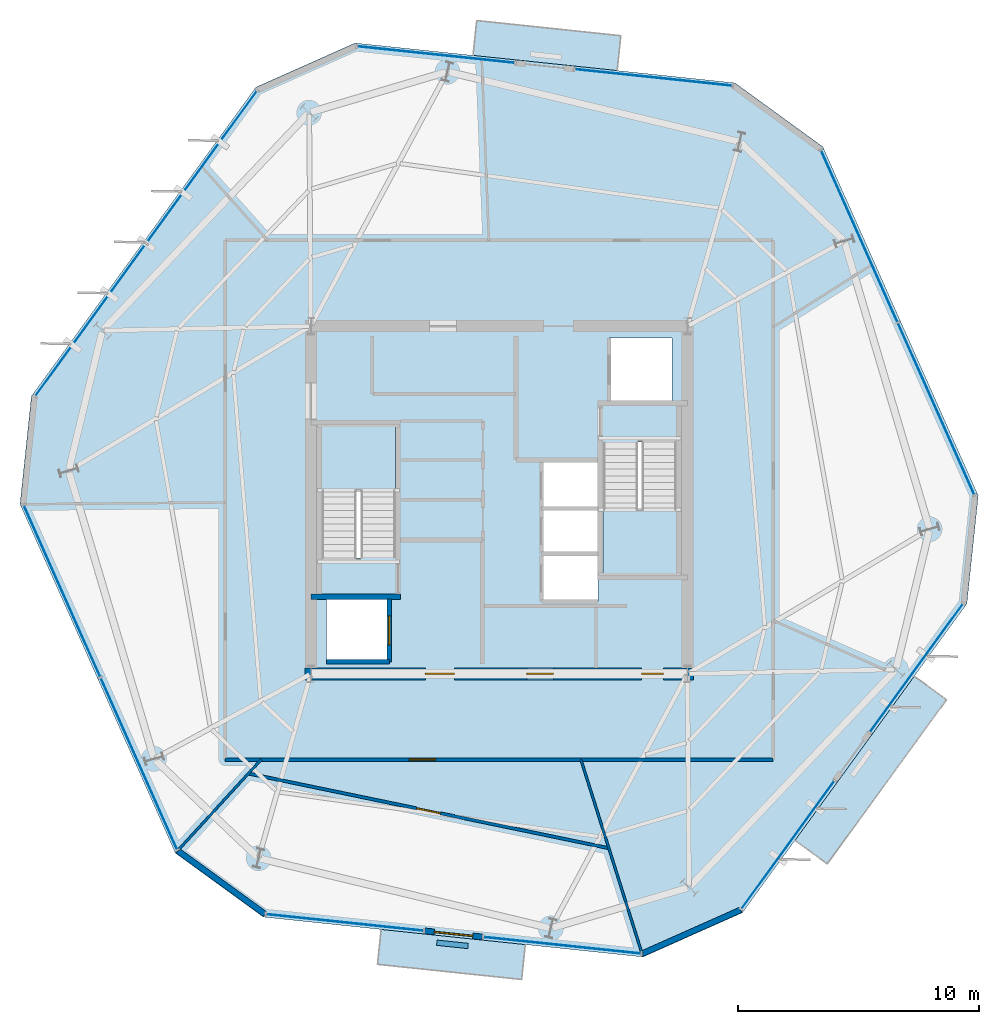
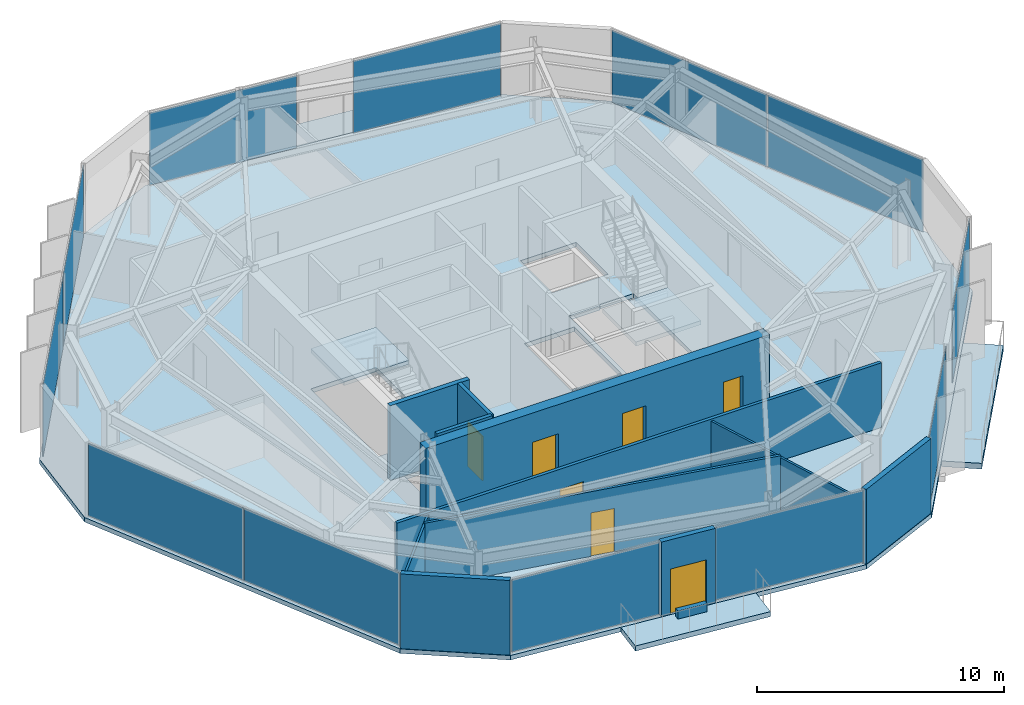
# One storey, part 7 of 12: 12 plates, 12 walls, 7 doors, 6 slabs, 7 openings, 11 elements without a shape of their own.
"""IFC4 building model written with IfcOpenShell, lengths in metres."""

from ifc_helpers import new_model, si_unit, direction, frame, frame_2d, origin, origin_2d, place, context, subcontext, project, spatial, polyline, rectangle, outline, extrude, material, layer, layer_set, type_object, element, fill, aggregate, save


model = new_model("IFC4")

# Units and contexts
model_context = context("Model", 3, precision=1e-05, world=origin(), true_north=direction((0.0, 1.0)))
body_context = subcontext(model_context, "Body", "Model", "MODEL_VIEW")
ifc_project = project(units=[si_unit("LENGTHUNIT", "METRE"), si_unit("AREAUNIT", "SQUARE_METRE"), si_unit("VOLUMEUNIT", "CUBIC_METRE"), si_unit("PLANEANGLEUNIT", "RADIAN"), si_unit("MASSUNIT", "GRAM", prefix="KILO")], contexts=[model_context])

# Site, building, storey
site_placement = place(None, origin())
site = spatial("IfcSite", under=ifc_project, at=site_placement, CompositionType="ELEMENT")
building_placement = place(site_placement, origin())
building = spatial("IfcBuilding", under=site, at=building_placement, Name="Kranzbogen Civic Tower", CompositionType="ELEMENT")
storey_placement = place(building_placement, frame((0.0, 0.0, 240.800048828125)))
storey = spatial("IfcBuildingStorey", under=building, at=storey_placement, Name="L58", CompositionType="ELEMENT", Elevation=240.800048828125)

# Slab
ifc_material_1 = material(Name="Concrete C40/50", Category="concrete")
ifc_layer_1 = layer(ifc_material_1, 0.219970703125, Name="Concrete C40/50")
ifc_layer_set_1 = layer_set([ifc_layer_1], Name="Concrete C40/50")
slab_type_1 = type_object("IfcSlabType", Name="Composite Upper Tower Floor Slab 220 mm", PredefinedType="FLOOR", material=ifc_layer_set_1)
slab_1_placement = place(storey_placement, frame((0.0, 0.0, -0.219970703125)))
element("IfcSlab", 1, at=slab_1_placement, inside=storey, type_object=slab_type_1, Name="L58 tower floor slab", PredefinedType="FLOOR", context=body_context, shape_type="SweptSolid", body=[
    extrude(outline(polyline([(34.76904296875, 42.27392578125), (19.035888671875, 43.927001953125), (14.925048828125, 42.096923828125), (5.626953125, 29.299072265625), (5.156005859375, 24.822998046875), (11.591064453125, 10.3720703125), (15.23095703125, 7.72607421875), (30.964111328125, 6.072998046875), (35.074951171875, 7.903076171875), (44.373046875, 20.700927734375), (44.843994140625, 25.177001953125), (38.408935546875, 39.6279296875), (34.76904296875, 42.27392578125)]), holes=[polyline([(17.85009765625, 20.89990234375), (20.449951171875, 20.89990234375), (20.449951171875, 18.300048828125), (17.85009765625, 18.300048828125), (17.85009765625, 20.89990234375)]), polyline([(29.10009765625, 22.699951171875), (29.10009765625, 20.800048828125), (26.75, 20.800048828125), (26.75, 22.699951171875), (29.10009765625, 22.699951171875)]), polyline([(29.10009765625, 24.64990234375), (29.10009765625, 22.77490234375), (26.75, 22.77490234375), (26.75, 24.64990234375), (26.75, 24.675048828125), (26.75, 26.550048828125), (29.10009765625, 26.550048828125), (29.10009765625, 24.675048828125), (29.10009765625, 24.64990234375)]), polyline([(29.300048828125, 27.340087890625), (30.75, 27.340087890625), (30.75, 27.39990234375), (32.35009765625, 27.39990234375), (32.35009765625, 21.89990234375), (29.300048828125, 21.89990234375), (29.300048828125, 27.340087890625)]), polyline([(20.699951171875, 22.659912109375), (19.25, 22.659912109375), (19.25, 22.60009765625), (17.64990234375, 22.60009765625), (17.64990234375, 28.10009765625), (20.699951171875, 28.10009765625), (20.699951171875, 22.659912109375)]), polyline([(32.14990234375, 31.699951171875), (32.14990234375, 29.10009765625), (29.550048828125, 29.10009765625), (29.550048828125, 31.699951171875), (32.14990234375, 31.699951171875)])]), origin(), (0.0, 0.0, 1.0), 0.219970703125),
])

# Curtain wall, plate
ifc_material_2 = material(Name="Pale Anodised Aluminium", Category="aluminium")
ifc_layer_2 = layer(ifc_material_2, 0.219970703125, Name="Pale Anodised Aluminium")
ifc_layer_set_2 = layer_set([ifc_layer_2], Name="Pale Anodised Aluminium")
curtain_wall_type = type_object("IfcCurtainWallType", Name="Zone 3 Stick Curtain Wall System CW-04", PredefinedType="USERDEFINED", material=ifc_layer_set_2)
curtain_wall_1_placement = place(storey_placement, origin())
curtain_wall_1 = element("IfcCurtainWall", 2, at=curtain_wall_1_placement, inside=storey, type_object=curtain_wall_type, Name="L58 curtain wall CW-L58-F1-S1", ObjectType="STICK CURTAIN WALL", PredefinedType="USERDEFINED")
ifc_material_3 = material(Name="Low-E Triple Glazing Glass", Category="glass")
ifc_layer_3 = layer(ifc_material_3, 0.030029296875, Name="Low-E Triple Glazing Glass")
ifc_layer_set_3 = layer_set([ifc_layer_3], Name="Low-E Triple Glazing Glass")
plate_type = type_object("IfcPlateType", Name="Insulated Low-E Glazing Panel 30 mm", PredefinedType="CURTAIN_PANEL", material=ifc_layer_set_3)
plate_1_placement = place(storey_placement, frame((31.39111328125, 42.49951171875, 0.059814453125), z_axis=(0.0, 0.0, 1.0), x_axis=(-0.994530949802, 0.104442280164, 0.0)))
plate_1 = element("IfcPlate", 3, at=plate_1_placement, type_object=plate_type, Name="CW-04 panel 1.1", PredefinedType="CURTAIN_PANEL", context=body_context, shape_type="SweptSolid", body=[
    extrude(rectangle(XDim=6.534423828125, YDim=0.028076171875, at=origin_2d()), origin(), (0.0, 0.0, 1.0), 3.580078125),
])
aggregate(curtain_wall_1, [plate_1])

curtain_wall_2_placement = place(storey_placement, origin())
curtain_wall_2 = element("IfcCurtainWall", 4, at=curtain_wall_2_placement, inside=storey, type_object=curtain_wall_type, Name="L58 curtain wall CW-L58-F1-S2", ObjectType="STICK CURTAIN WALL", PredefinedType="USERDEFINED")
plate_2_placement = place(storey_placement, frame((22.386474609375, 43.445556640625, 0.059814453125), z_axis=(0.0, 0.0, 1.0), x_axis=(-0.994529310189, 0.104457891879, 0.0)))
plate_2 = element("IfcPlate", 5, at=plate_2_placement, type_object=plate_type, Name="CW-04 panel 1.1", PredefinedType="CURTAIN_PANEL", context=body_context, shape_type="SweptSolid", body=[
    extrude(rectangle(XDim=6.533447265625, YDim=0.028076171875, at=origin_2d()), origin(), (0.0, 0.0, 1.0), 3.580078125),
])
aggregate(curtain_wall_2, [plate_2])

# Curtain wall, plates
curtain_wall_3_placement = place(storey_placement, origin())
curtain_wall_3 = element("IfcCurtainWall", 6, at=curtain_wall_3_placement, inside=storey, type_object=curtain_wall_type, Name="L58 curtain wall CW-L58-F2", ObjectType="STICK CURTAIN WALL", PredefinedType="USERDEFINED")
plate_3_placement = place(storey_placement, frame((12.67919921875, 38.787109375, 0.059814453125), z_axis=(0.0, 0.0, 1.0), x_axis=(-0.587777922218, -0.809022319935, 0.0)))
plate_3 = element("IfcPlate", 7, at=plate_3_placement, type_object=plate_type, Name="CW-04 panel 1.1", PredefinedType="CURTAIN_PANEL", context=body_context, shape_type="SweptSolid", body=[
    extrude(rectangle(XDim=7.763427734375, YDim=0.028076171875, at=origin_2d()), origin(), (0.0, 0.0, 1.0), 3.580078125),
])
plate_4_placement = place(storey_placement, frame((8.080810546875, 32.457763671875, 0.059814453125), z_axis=(0.0, 0.0, 1.0), x_axis=(-0.587777922218, -0.809022319935, 0.0)))
plate_4 = element("IfcPlate", 8, at=plate_4_placement, type_object=plate_type, Name="CW-04 panel 2.1", PredefinedType="CURTAIN_PANEL", context=body_context, shape_type="SweptSolid", body=[
    extrude(rectangle(XDim=7.763427734375, YDim=0.028076171875, at=origin_2d()), origin(), (0.0, 0.0, 1.0), 3.580078125),
])
aggregate(curtain_wall_3, [plate_3, plate_4])

curtain_wall_4_placement = place(storey_placement, origin())
curtain_wall_4 = element("IfcCurtainWall", 9, at=curtain_wall_4_placement, inside=storey, type_object=curtain_wall_type, Name="L58 curtain wall CW-L58-F3", ObjectType="STICK CURTAIN WALL", PredefinedType="USERDEFINED")
plate_5_placement = place(storey_placement, frame((6.899658203125, 21.22314453125, 0.059814453125), z_axis=(0.0, 0.0, 1.0), x_axis=(0.406811748243, -0.913512014968, 0.0)))
plate_5 = element("IfcPlate", 10, at=plate_5_placement, type_object=plate_type, Name="CW-04 panel 1.1", PredefinedType="CURTAIN_PANEL", context=body_context, shape_type="SweptSolid", body=[
    extrude(rectangle(XDim=7.763671875, YDim=0.028076171875, at=origin_2d()), origin(), (0.0, 0.0, 1.0), 3.580078125),
])
plate_6_placement = place(storey_placement, frame((10.08251953125, 14.075927734375, 0.059814453125), z_axis=(0.0, 0.0, 1.0), x_axis=(0.406811748243, -0.913512014968, 0.0)))
plate_6 = element("IfcPlate", 11, at=plate_6_placement, type_object=plate_type, Name="CW-04 panel 2.1", PredefinedType="CURTAIN_PANEL", context=body_context, shape_type="SweptSolid", body=[
    extrude(rectangle(XDim=7.763671875, YDim=0.028076171875, at=origin_2d()), origin(), (0.0, 0.0, 1.0), 3.580078125),
])
aggregate(curtain_wall_4, [plate_5, plate_6])

# Curtain wall, plate
curtain_wall_5_placement = place(storey_placement, origin())
curtain_wall_5 = element("IfcCurtainWall", 12, at=curtain_wall_5_placement, inside=storey, type_object=curtain_wall_type, Name="L58 curtain wall CW-L58-F4-S1", ObjectType="STICK CURTAIN WALL", PredefinedType="USERDEFINED")
plate_7_placement = place(storey_placement, frame((18.60888671875, 7.50048828125, 0.059814453125), z_axis=(0.0, 0.0, 1.0), x_axis=(0.994530949802, -0.104442280164, 0.0)))
plate_7 = element("IfcPlate", 13, at=plate_7_placement, type_object=plate_type, Name="CW-04 panel 1.1", PredefinedType="CURTAIN_PANEL", context=body_context, shape_type="SweptSolid", body=[
    extrude(rectangle(XDim=6.534423828125, YDim=0.028076171875, at=origin_2d()), origin(), (0.0, 0.0, 1.0), 3.580078125),
])
aggregate(curtain_wall_5, [plate_7])

curtain_wall_6_placement = place(storey_placement, origin())
curtain_wall_6 = element("IfcCurtainWall", 14, at=curtain_wall_6_placement, inside=storey, type_object=curtain_wall_type, Name="L58 curtain wall CW-L58-F4-S2", ObjectType="STICK CURTAIN WALL", PredefinedType="USERDEFINED")
plate_8_placement = place(storey_placement, frame((27.613525390625, 6.554443359375, 0.059814453125), z_axis=(0.0, 0.0, 1.0), x_axis=(0.994529310189, -0.104457891879, 0.0)))
plate_8 = element("IfcPlate", 15, at=plate_8_placement, type_object=plate_type, Name="CW-04 panel 1.1", PredefinedType="CURTAIN_PANEL", context=body_context, shape_type="SweptSolid", body=[
    extrude(rectangle(XDim=6.533447265625, YDim=0.028076171875, at=origin_2d()), origin(), (0.0, 0.0, 1.0), 3.580078125),
])
aggregate(curtain_wall_6, [plate_8])

curtain_wall_7_placement = place(storey_placement, origin())
curtain_wall_7 = element("IfcCurtainWall", 16, at=curtain_wall_7_placement, inside=storey, type_object=curtain_wall_type, Name="L58 curtain wall CW-L58-F5-S1", ObjectType="STICK CURTAIN WALL", PredefinedType="USERDEFINED")
plate_9_placement = place(storey_placement, frame((36.95947265625, 10.715576171875, 0.059814453125), z_axis=(0.0, 0.0, 1.0), x_axis=(0.587787374231, 0.809015452692, 0.0)))
plate_9 = element("IfcPlate", 17, at=plate_9_placement, type_object=plate_type, Name="CW-04 panel 1.1", PredefinedType="CURTAIN_PANEL", context=body_context, shape_type="SweptSolid", body=[
    extrude(rectangle(XDim=6.53369140625, YDim=0.028076171875, at=origin_2d()), origin(), (0.0, 0.0, 1.0), 3.580078125),
])
aggregate(curtain_wall_7, [plate_9])

curtain_wall_8_placement = place(storey_placement, origin())
curtain_wall_8 = element("IfcCurtainWall", 18, at=curtain_wall_8_placement, inside=storey, type_object=curtain_wall_type, Name="L58 curtain wall CW-L58-F5-S2", ObjectType="STICK CURTAIN WALL", PredefinedType="USERDEFINED")
plate_10_placement = place(storey_placement, frame((42.280517578125, 18.03955078125, 0.059814453125), z_axis=(0.0, 0.0, 1.0), x_axis=(0.587787374231, 0.809015452692, 0.0)))
plate_10 = element("IfcPlate", 19, at=plate_10_placement, type_object=plate_type, Name="CW-04 panel 1.1", PredefinedType="CURTAIN_PANEL", context=body_context, shape_type="SweptSolid", body=[
    extrude(rectangle(XDim=6.53369140625, YDim=0.028076171875, at=origin_2d()), origin(), (0.0, 0.0, 1.0), 3.580078125),
])
aggregate(curtain_wall_8, [plate_10])

# Curtain wall, plates
curtain_wall_9_placement = place(storey_placement, origin())
curtain_wall_9 = element("IfcCurtainWall", 20, at=curtain_wall_9_placement, inside=storey, type_object=curtain_wall_type, Name="L58 curtain wall CW-L58-F6", ObjectType="STICK CURTAIN WALL", PredefinedType="USERDEFINED")
plate_11_placement = place(storey_placement, frame((43.100341796875, 28.77685546875, 0.059814453125), z_axis=(0.0, 0.0, 1.0), x_axis=(-0.406811748243, 0.913512014968, 0.0)))
plate_11 = element("IfcPlate", 21, at=plate_11_placement, type_object=plate_type, Name="CW-04 panel 1.1", PredefinedType="CURTAIN_PANEL", context=body_context, shape_type="SweptSolid", body=[
    extrude(rectangle(XDim=7.763671875, YDim=0.028076171875, at=origin_2d()), origin(), (0.0, 0.0, 1.0), 3.580078125),
])
plate_12_placement = place(storey_placement, frame((39.91748046875, 35.924072265625, 0.059814453125), z_axis=(0.0, 0.0, 1.0), x_axis=(-0.406811748243, 0.913512014968, 0.0)))
plate_12 = element("IfcPlate", 22, at=plate_12_placement, type_object=plate_type, Name="CW-04 panel 2.1", PredefinedType="CURTAIN_PANEL", context=body_context, shape_type="SweptSolid", body=[
    extrude(rectangle(XDim=7.763671875, YDim=0.028076171875, at=origin_2d()), origin(), (0.0, 0.0, 1.0), 3.580078125),
])
aggregate(curtain_wall_9, [plate_11, plate_12])

# Stair, slab
ifc_material_4 = material(Name="Precast concrete C40/50", Category="concrete")
stair_type_1 = type_object("IfcStairType", Name="Tower Core Pressurized Dogleg Stair 1450", PredefinedType="HALF_TURN_STAIR", material=ifc_material_4)
stair_1_placement = place(storey_placement, origin())
stair_1 = element("IfcStair", 23, at=stair_1_placement, inside=storey, type_object=stair_type_1, Name="L58 Tower Core Pressurized Stair 1", PredefinedType="HALF_TURN_STAIR")
ifc_layer_4 = layer(ifc_material_4, 0.199951171875, Name="Precast concrete C40/50")
ifc_layer_set_4 = layer_set([ifc_layer_4], Name="Precast concrete C40/50")
slab_type_2 = type_object("IfcSlabType", Name="Precast Concrete Stair Landing Slab 200 mm", PredefinedType="LANDING", material=ifc_layer_set_4)
slab_2_placement = place(storey_placement, frame((0.0, 0.0, 1.800048828125)))
slab_2 = element("IfcSlab", 24, at=slab_2_placement, type_object=slab_type_2, Name="ST-T1 landing 1", PredefinedType="LANDING", context=body_context, shape_type="SweptSolid", body=[
    extrude(outline(polyline([(20.699951171875, 25.39990234375), (20.699951171875, 28.10009765625), (17.64990234375, 28.10009765625), (17.64990234375, 25.39990234375), (20.699951171875, 25.39990234375)])), origin(), (0.0, 0.0, 1.0), 0.199951171875),
])
aggregate(stair_1, [slab_2])

stair_type_2 = type_object("IfcStairType", Name="Tower Core Secondary Dogleg Stair 1450", PredefinedType="HALF_TURN_STAIR", material=ifc_material_4)
stair_2_placement = place(storey_placement, origin())
stair_2 = element("IfcStair", 25, at=stair_2_placement, inside=storey, type_object=stair_type_2, Name="L58 Tower Core Pressurized Stair 2", PredefinedType="HALF_TURN_STAIR")
slab_3_placement = place(storey_placement, frame((0.0, 0.0, 1.800048828125)))
slab_3 = element("IfcSlab", 26, at=slab_3_placement, type_object=slab_type_2, Name="ST-T2 landing 1", PredefinedType="LANDING", context=body_context, shape_type="SweptSolid", body=[
    extrude(outline(polyline([(29.300048828125, 24.60009765625), (29.300048828125, 21.89990234375), (32.35009765625, 21.89990234375), (32.35009765625, 24.60009765625), (29.300048828125, 24.60009765625)])), origin(), (0.0, 0.0, 1.0), 0.199951171875),
])
aggregate(stair_2, [slab_3])

# Slabs
ifc_layer_5 = layer(ifc_material_1, 0.280029296875, Name="Concrete C40/50")
ifc_layer_set_5 = layer_set([ifc_layer_5], Name="Concrete C40/50")
slab_type_3 = type_object("IfcSlabType", Name="Spiral Terrace Cantilevered Slab 280 mm", PredefinedType="FLOOR", material=ifc_layer_set_5)
slab_4_placement = place(storey_placement, frame((0.0, 0.0, -0.280029296875)))
element("IfcSlab", 27, at=slab_4_placement, inside=storey, type_object=slab_type_3, Name="L58 cantilevered spiral terrace L58-ST", PredefinedType="FLOOR", context=body_context, shape_type="SweptSolid", body=[
    extrude(outline(polyline([(37.2548828125, 10.904052734375), (42.193115234375, 17.699951171875), (43.528076171875, 16.72998046875), (38.590087890625, 9.93408203125), (37.2548828125, 10.904052734375)])), origin(), (0.0, 0.0, 1.0), 0.280029296875),
])
ifc_layer_6 = layer(ifc_material_1, 0.25, Name="Concrete C40/50")
ifc_layer_set_6 = layer_set([ifc_layer_6], Name="Concrete C40/50")
slab_type_4 = type_object("IfcSlabType", Name="Tree Balcony Cantilevered Slab 250 mm", PredefinedType="FLOOR", material=ifc_layer_set_6)
slab_5_placement = place(storey_placement, frame((0.0, 0.0, -0.25)))
element("IfcSlab", 28, at=slab_5_placement, inside=storey, type_object=slab_type_4, Name="L58 cantilevered tree balcony L58-TB1", PredefinedType="FLOOR", context=body_context, shape_type="SweptSolid", body=[
    extrude(outline(polyline([(20.114013671875, 7.212890625), (26.0810546875, 6.5859375), (25.928955078125, 5.14404296875), (19.9619140625, 5.77099609375), (20.114013671875, 7.212890625)])), origin(), (0.0, 0.0, 1.0), 0.25),
])
slab_6_placement = place(storey_placement, frame((0.0, 0.0, -0.25)))
element("IfcSlab", 29, at=slab_6_placement, inside=storey, type_object=slab_type_4, Name="L58 cantilevered tree balcony L58-TB2", PredefinedType="FLOOR", context=body_context, shape_type="SweptSolid", body=[
    extrude(outline(polyline([(29.885986328125, 42.787109375), (23.9189453125, 43.4140625), (24.071044921875, 44.85595703125), (30.0380859375, 44.22900390625), (29.885986328125, 42.787109375)])), origin(), (0.0, 0.0, 1.0), 0.25),
])

# Wall, opening, door
ifc_material_5 = material(Name="Double-Stud Acoustic Gypsum Partition")
ifc_layer_7 = layer(ifc_material_5, 0.14990234375, Name="Double-Stud Acoustic Gypsum Partition")
ifc_layer_set_7 = layer_set([ifc_layer_7], Name="Double-Stud Acoustic Gypsum Partition")
wall_type_1 = type_object("IfcWallType", Name="Acoustic Corridor and Clinical Partition 150 mm", PredefinedType="PARTITIONING", material=ifc_layer_set_7)
wall_1_placement = place(storey_placement, frame((36.35009765625, 14.25, 0.0), z_axis=(0.0, 0.0, 1.0), x_axis=(-1.0, 0.0, 0.0)))
wall_1 = element("IfcWall", 30, at=wall_1_placement, inside=storey, type_object=wall_type_1, Name="L58 corridor partition 03", PredefinedType="PARTITIONING", context=body_context, shape_type="SweptSolid", body=[
    extrude(rectangle(XDim=22.7001953125, YDim=0.14990234375, at=frame_2d((11.35009765625, 0.0))), origin(), (0.0, 0.0, 1.0), 3.199951171875),
])
opening_1_placement = place(wall_1_placement, frame((13.97705078125, 0.0, 0.0)))
opening_1 = element("IfcOpeningElement", 31, at=opening_1_placement, cuts=wall_1, Name="Opening D-COR60", PredefinedType="OPENING", context=body_context, shape_type="SweptSolid", body=[
    extrude(rectangle(XDim=1.10009765625, YDim=2.199951171875, at=frame_2d((0.550048828125, 1.10009765625))), frame((0.0, 0.0849609375, 0.0), z_axis=(0.0, -1.0, 0.0), x_axis=(1.0, 0.0, 0.0)), (0.0, 0.0, 1.0), 0.169921875),
])
ifc_material_6 = material(Name="Oak Timber and Fire Core", Category="wood")
door_type_1 = type_object("IfcDoorType", Name="Corridor Acoustic Fire Door 1100x2200", OperationType="NOTDEFINED", PredefinedType="DOOR", material=ifc_material_6)
door_1_placement = place(opening_1_placement, origin())
door_1 = element("IfcDoor", 32, at=door_1_placement, inside=storey, type_object=door_type_1, Name="L58 Executive Research Study door", OperationType="SINGLE_SWING_RIGHT", OverallHeight=2.199951171875, OverallWidth=1.10009765625, PredefinedType="DOOR", context=body_context, shape_type="SweptSolid", body=[
    extrude(rectangle(XDim=1.10009765625, YDim=2.199951171875, at=frame_2d((0.550048828125, 1.10009765625))), frame((0.0, 0.02490234375, 0.0), z_axis=(0.0, -1.0, 0.0), x_axis=(1.0, 0.0, 0.0)), (0.0, 0.0, 1.0), 0.050048828125),
])
fill(opening_1, door_1)

ifc_material_7 = material(Name="Insulated Metal-Stud Gypsum Partition")
ifc_layer_8 = layer(ifc_material_7, 0.125, Name="Insulated Metal-Stud Gypsum Partition")
ifc_layer_set_8 = layer_set([ifc_layer_8], Name="Insulated Metal-Stud Gypsum Partition")
wall_type_2 = type_object("IfcWallType", Name="Acoustic Inter-Room Partition 125 mm", PredefinedType="PARTITIONING", material=ifc_layer_set_8)
wall_2_placement = place(storey_placement, frame((14.631103515625, 13.6669921875, 0.0), z_axis=(0.0, 0.0, 1.0), x_axis=(0.979233619367, -0.202735094894, 0.0)))
wall_2 = element("IfcWall", 33, at=wall_2_placement, inside=storey, type_object=wall_type_2, Name="L58 suite chord partition 01", PredefinedType="PARTITIONING", context=body_context, shape_type="SweptSolid", body=[
    extrude(rectangle(XDim=15.2119140625, YDim=0.125, at=frame_2d((7.60595703125, 0.0))), origin(), (0.0, 0.0, 1.0), 3.199951171875),
])
opening_2_placement = place(wall_2_placement, frame((7.10595703125, 0.0, 0.0)))
opening_2 = element("IfcOpeningElement", 34, at=opening_2_placement, cuts=wall_2, Name="Opening D-OFC10", PredefinedType="OPENING", context=body_context, shape_type="SweptSolid", body=[
    extrude(rectangle(XDim=1.0, YDim=2.14990234375, at=frame_2d((0.5, 1.074951171875))), frame((0.0, 0.072509765625, 0.0), z_axis=(0.0, -1.0, 0.0), x_axis=(1.0, 0.0, 0.0)), (0.0, 0.0, 1.0), 0.14501953125),
])
ifc_material_8 = material(Name="Oak Timber Veneer", Category="wood")
door_type_2 = type_object("IfcDoorType", Name="Standard Office Acoustic Door 1000x2150", OperationType="NOTDEFINED", PredefinedType="DOOR", material=ifc_material_8)
door_2_placement = place(opening_2_placement, origin())
door_2 = element("IfcDoor", 35, at=door_2_placement, inside=storey, type_object=door_type_2, Name="L58 Protocol Dining Room door", OperationType="SINGLE_SWING_LEFT", OverallHeight=2.14990234375, OverallWidth=1.0, PredefinedType="DOOR", context=body_context, shape_type="SweptSolid", body=[
    extrude(rectangle(XDim=1.0, YDim=2.14990234375, at=frame_2d((0.5, 1.074951171875))), frame((0.0, 0.02490234375, 0.0), z_axis=(0.0, -1.0, 0.0), x_axis=(1.0, 0.0, 0.0)), (0.0, 0.0, 1.0), 0.050048828125),
])
fill(opening_2, door_2)

# Wall
ifc_material_9 = material(Name="Architectural Precast Terracotta Concrete C40/50", Category="masonry")
ifc_layer_9 = layer(ifc_material_9, 0.219970703125, Name="Architectural Precast Terracotta Concrete C40/50")
ifc_layer_set_9 = layer_set([ifc_layer_9], Name="Architectural Precast Terracotta Concrete C40/50")
wall_type_3 = type_object("IfcWallType", Name="Architectural Tree Planter Kerb Wall 220 mm", PredefinedType="USERDEFINED", material=ifc_layer_set_9)
wall_3_placement = place(storey_placement, frame((22.419921875, 6.6650390625, 0.0), z_axis=(0.0, 0.0, 1.0), x_axis=(0.994506482607, -0.104675002043, 0.0)))
element("IfcWall", 36, at=wall_3_placement, inside=storey, type_object=wall_type_3, Name="L58 landscaped tree balcony planter L58-TB1", ObjectType="PLANTER_WALL", PredefinedType="USERDEFINED", context=body_context, shape_type="SweptSolid", body=[
    extrude(rectangle(XDim=1.299072265625, YDim=0.219970703125, at=frame_2d((0.6494140625, 0.0))), origin(), (0.0, 0.0, 1.0), 0.39990234375),
])

# Wall, openings, doors
ifc_material_10 = material(Name="Concrete C45/55", Category="concrete")
ifc_layer_10 = layer(ifc_material_10, 0.5, Name="Concrete C45/55")
ifc_layer_set_10 = layer_set([ifc_layer_10], Name="Concrete C45/55")
wall_type_4 = type_object("IfcWallType", Name="Central Core Shear Wall 500 mm", PredefinedType="SHEAR", material=ifc_layer_set_10)
wall_4_placement = place(storey_placement, frame((16.949951171875, 17.800048828125, 0.0), z_axis=(0.0, 0.0, 1.0), x_axis=(1.0, 0.0, 0.0)))
wall_4 = element("IfcWall", 37, at=wall_4_placement, inside=storey, type_object=wall_type_4, Name="L58 central core South shear wall", PredefinedType="SHEAR", context=body_context, shape_type="SweptSolid", body=[
    extrude(rectangle(XDim=16.10009765625, YDim=0.5, at=frame_2d((8.050048828125, 0.0))), origin(), (0.0, 0.0, 1.0), 3.699951171875),
])
opening_3_placement = place(wall_4_placement, frame((5.0, 0.0, 0.0)))
opening_3 = element("IfcOpeningElement", 38, at=opening_3_placement, cuts=wall_4, Name="Opening D-EX120", PredefinedType="OPENING", context=body_context, shape_type="SweptSolid", body=[
    extrude(rectangle(XDim=1.199951171875, YDim=2.25, at=frame_2d((0.60009765625, 1.125))), frame((0.0, 0.260009765625, 0.0), z_axis=(0.0, -1.0, 0.0), x_axis=(1.0, 0.0, 0.0)), (0.0, 0.0, 1.0), 0.52001953125),
])
opening_4_placement = place(wall_4_placement, frame((13.949951171875, 0.0, 0.0)))
opening_4 = element("IfcOpeningElement", 39, at=opening_4_placement, cuts=wall_4, Name="Opening D-WC90", PredefinedType="OPENING", context=body_context, shape_type="SweptSolid", body=[
    extrude(rectangle(XDim=0.89990234375, YDim=2.10009765625, at=frame_2d((0.449951171875, 1.050048828125))), frame((0.0, 0.260009765625, 0.0), z_axis=(0.0, -1.0, 0.0), x_axis=(1.0, 0.0, 0.0)), (0.0, 0.0, 1.0), 0.52001953125),
])
opening_5_placement = place(wall_4_placement, frame((9.199951171875, 0.0, 0.0)))
opening_5 = element("IfcOpeningElement", 40, at=opening_5_placement, cuts=wall_4, Name="Opening D-COR60", PredefinedType="OPENING", context=body_context, shape_type="SweptSolid", body=[
    extrude(rectangle(XDim=1.10009765625, YDim=2.199951171875, at=frame_2d((0.550048828125, 1.10009765625))), frame((0.0, 0.260009765625, 0.0), z_axis=(0.0, -1.0, 0.0), x_axis=(1.0, 0.0, 0.0)), (0.0, 0.0, 1.0), 0.52001953125),
])
door_3_placement = place(opening_5_placement, origin())
door_3 = element("IfcDoor", 41, at=door_3_placement, inside=storey, type_object=door_type_1, Name="L58 REC1 archive room door", OperationType="SINGLE_SWING_LEFT", OverallHeight=2.199951171875, OverallWidth=1.10009765625, PredefinedType="DOOR", context=body_context, shape_type="SweptSolid", body=[
    extrude(rectangle(XDim=1.10009765625, YDim=2.199951171875, at=frame_2d((0.550048828125, 1.10009765625))), frame((0.0, 0.02490234375, 0.0), z_axis=(0.0, -1.0, 0.0), x_axis=(1.0, 0.0, 0.0)), (0.0, 0.0, 1.0), 0.050048828125),
])
fill(opening_5, door_3)
ifc_material_11 = material(Name="Steel S355", Category="steel")
door_type_3 = type_object("IfcDoorType", Name="Exit Passageway Fire Door 1200x2250", OperationType="NOTDEFINED", PredefinedType="DOOR", material=ifc_material_11)
door_4_placement = place(opening_3_placement, origin())
door_4 = element("IfcDoor", 42, at=door_4_placement, inside=storey, type_object=door_type_3, Name="L58 West firefighting lobby corridor door", OperationType="SINGLE_SWING_LEFT", OverallHeight=2.25, OverallWidth=1.199951171875, PredefinedType="DOOR", context=body_context, shape_type="SweptSolid", body=[
    extrude(rectangle(XDim=1.199951171875, YDim=2.25, at=frame_2d((0.60009765625, 1.125))), frame((0.0, 0.02490234375, 0.0), z_axis=(0.0, -1.0, 0.0), x_axis=(1.0, 0.0, 0.0)), (0.0, 0.0, 1.0), 0.050048828125),
])
fill(opening_3, door_4)
ifc_material_12 = material(Name="Moisture-Resistant Laminate")
door_type_4 = type_object("IfcDoorType", Name="Standard Restroom and Store Door 900x2100", OperationType="NOTDEFINED", PredefinedType="DOOR", material=ifc_material_12)
door_5_placement = place(opening_4_placement, origin())
door_5 = element("IfcDoor", 43, at=door_5_placement, inside=storey, type_object=door_type_4, Name="L58 East electrical riser access door", OperationType="SINGLE_SWING_RIGHT", OverallHeight=2.10009765625, OverallWidth=0.89990234375, PredefinedType="DOOR", context=body_context, shape_type="SweptSolid", body=[
    extrude(rectangle(XDim=0.89990234375, YDim=2.10009765625, at=frame_2d((0.449951171875, 1.050048828125))), frame((0.0, 0.02490234375, 0.0), z_axis=(0.0, -1.0, 0.0), x_axis=(1.0, 0.0, 0.0)), (0.0, 0.0, 1.0), 0.050048828125),
])
fill(opening_4, door_5)

# Walls
ifc_layer_11 = layer(ifc_material_10, 0.219970703125, Name="Concrete C45/55")
ifc_layer_set_11 = layer_set([ifc_layer_11], Name="Concrete C45/55")
wall_type_5 = type_object("IfcWallType", Name="Core Internal Stair Structural Wall 220 mm", PredefinedType="SOLIDWALL", material=ifc_layer_set_11)
wall_5_placement = place(storey_placement, frame((17.199951171875, 20.989990234375, 0.0), z_axis=(0.0, 0.0, 1.0), x_axis=(1.0, 0.0, 0.0)))
element("IfcWall", 44, at=wall_5_placement, inside=storey, type_object=wall_type_5, Name="L58 ST-T1 South structural stair wall", PredefinedType="SOLIDWALL", context=body_context, shape_type="SweptSolid", body=[
    extrude(rectangle(XDim=3.719970703125, YDim=0.219970703125, at=frame_2d((1.85986328125, 0.0))), origin(), (0.0, 0.0, 1.0), 3.699951171875),
])
ifc_material_13 = material(Name="Demountable Aluminium and Gypsum Partition", Category="aluminium")
ifc_layer_12 = layer(ifc_material_13, 0.10009765625, Name="Demountable Aluminium and Gypsum Partition")
ifc_layer_set_12 = layer_set([ifc_layer_12], Name="Demountable Aluminium and Gypsum Partition")
wall_type_6 = type_object("IfcWallType", Name="Demountable Office Partition 100 mm", PredefinedType="MOVABLE", material=ifc_layer_set_12)
wall_6_placement = place(storey_placement, frame((15.14599609375, 14.25, 0.0), z_axis=(0.0, 0.0, 1.0), x_axis=(-0.675770128833, -0.737112428994, 0.0)))
element("IfcWall", 45, at=wall_6_placement, inside=storey, type_object=wall_type_6, Name="L58 radial room partition 04", PredefinedType="MOVABLE", context=body_context, shape_type="SweptSolid", body=[
    extrude(rectangle(XDim=5.102294921875, YDim=0.10009765625, at=frame_2d((2.55126953125, 0.0))), origin(), (0.0, 0.0, 1.0), 3.099853515625),
])
wall_7_placement = place(storey_placement, frame((28.386962890625, 14.25, 0.0), z_axis=(0.0, 0.0, 1.0), x_axis=(0.300543965323, -0.953767961775, 0.0)))
element("IfcWall", 46, at=wall_7_placement, inside=storey, type_object=wall_type_6, Name="L58 radial room partition 05", PredefinedType="MOVABLE", context=body_context, shape_type="SweptSolid", body=[
    extrude(rectangle(XDim=8.4150390625, YDim=0.10009765625, at=frame_2d((4.20751953125, 0.0))), origin(), (0.0, 0.0, 1.0), 3.099853515625),
])

# Wall, opening, door
ifc_material_14 = material(Name="Gypsum Fireboard Shaftliner")
ifc_layer_13 = layer(ifc_material_14, 0.175048828125, Name="Gypsum Fireboard Shaftliner")
ifc_layer_set_13 = layer_set([ifc_layer_13], Name="Gypsum Fireboard Shaftliner")
wall_type_7 = type_object("IfcWallType", Name="Fire-Rated Lift and Service Shaft Wall 175 mm", PredefinedType="PARTITIONING", material=ifc_layer_set_13)
wall_8_placement = place(storey_placement, frame((20.449951171875, 18.300048828125, 0.0), z_axis=(0.0, 0.0, 1.0), x_axis=(0.0, 1.0, 0.0)))
wall_8 = element("IfcWall", 47, at=wall_8_placement, inside=storey, type_object=wall_type_7, Name="L58 lift FF-01 landing wall", PredefinedType="PARTITIONING", context=body_context, shape_type="SweptSolid", body=[
    extrude(rectangle(XDim=2.599853515625, YDim=0.175048828125, at=frame_2d((1.2998046875, 0.0))), origin(), (0.0, 0.0, 1.0), 3.699951171875),
])
opening_6_placement = place(wall_8_placement, frame((0.699951171875, 0.0, 0.0)))
opening_6 = element("IfcOpeningElement", 48, at=opening_6_placement, cuts=wall_8, Name="Opening LD-FF-01", PredefinedType="OPENING", context=body_context, shape_type="SweptSolid", body=[
    extrude(rectangle(XDim=1.199951171875, YDim=2.199951171875, at=frame_2d((0.60009765625, 1.10009765625))), frame((0.0, 0.09765625, 0.0), z_axis=(0.0, -1.0, 0.0), x_axis=(1.0, 0.0, 0.0)), (0.0, 0.0, 1.0), 0.195068359375),
])
door_type_5 = type_object("IfcDoorType", Name="Firefighting and Stretcher Lift Sliding Landing Door 1200x2200", OperationType="DOUBLE_DOOR_SLIDING", PredefinedType="DOOR", material=ifc_material_2)
door_6_placement = place(opening_6_placement, origin())
door_6 = element("IfcDoor", 49, at=door_6_placement, inside=storey, type_object=door_type_5, Name="L58 lift FF-01 sliding landing door", OperationType="DOUBLE_DOOR_SLIDING", OverallHeight=2.199951171875, OverallWidth=1.199951171875, PredefinedType="DOOR", context=body_context, shape_type="SweptSolid", body=[
    extrude(rectangle(XDim=1.199951171875, YDim=2.199951171875, at=frame_2d((0.60009765625, 1.10009765625))), frame((0.0, 0.02490234375, 0.0), z_axis=(0.0, -1.0, 0.0), x_axis=(1.0, 0.0, 0.0)), (0.0, 0.0, 1.0), 0.050048828125),
])
fill(opening_6, door_6)

# Walls
wall_9_placement = place(storey_placement, frame((17.85009765625, 18.300048828125, 0.0), z_axis=(0.0, 0.0, 1.0), x_axis=(1.0, 0.0, 0.0)))
element("IfcWall", 50, at=wall_9_placement, inside=storey, type_object=wall_type_7, Name="L58 lift FF-01 side wall", PredefinedType="PARTITIONING", context=body_context, shape_type="SweptSolid", body=[
    extrude(rectangle(XDim=2.599853515625, YDim=0.175048828125, at=frame_2d((1.2998046875, 0.0))), origin(), (0.0, 0.0, 1.0), 3.699951171875),
])
ifc_layer_14 = layer(ifc_material_2, 0.239990234375, Name="Pale Anodised Aluminium")
ifc_layer_set_14 = layer_set([ifc_layer_14], Name="Pale Anodised Aluminium")
wall_type_8 = type_object("IfcWallType", Name="Insulated Aluminium Facade Portal Wall 240 mm", PredefinedType="STANDARD", material=ifc_layer_set_14)
wall_10_placement = place(storey_placement, frame((11.68603515625, 10.47509765625, 0.0), z_axis=(0.0, 0.0, 1.0), x_axis=(0.808861298874, -0.587999489102, 0.0)))
element("IfcWall", 51, at=wall_10_placement, inside=storey, type_object=wall_type_8, Name="L58 chamfered corner facade spandrel 3", PredefinedType="STANDARD", context=body_context, shape_type="SweptSolid", body=[
    extrude(rectangle(XDim=4.468017578125, YDim=0.239990234375, at=frame_2d((2.23388671875, 0.0))), origin(), (0.0, 0.0, 1.0), 3.699951171875),
])

# Wall, opening, door
wall_11_placement = place(storey_placement, frame((21.91796875, 7.153076171875, 0.0), z_axis=(0.0, 0.0, 1.0), x_axis=(0.994517708252, -0.10456829335, 0.0)))
wall_11 = element("IfcWall", 52, at=wall_11_placement, inside=storey, type_object=wall_type_8, Name="L58 exterior entrance portal wall 1", PredefinedType="STANDARD", context=body_context, shape_type="SweptSolid", body=[
    extrude(rectangle(XDim=2.400146484375, YDim=0.239990234375, at=frame_2d((1.2001953125, 0.0))), origin(), (0.0, 0.0, 1.0), 3.699951171875),
])
opening_7_placement = place(wall_11_placement, frame((0.39990234375, 0.0, 0.0)))
opening_7 = element("IfcOpeningElement", 53, at=opening_7_placement, cuts=wall_11, Name="Opening D-TER", PredefinedType="OPENING", context=body_context, shape_type="SweptSolid", body=[
    extrude(rectangle(XDim=1.60009765625, YDim=2.25, at=frame_2d((0.800048828125, 1.125))), frame((0.0, 0.1298828125, 0.0), z_axis=(0.0, -1.0, 0.0), x_axis=(1.0, 0.0, 0.0)), (0.0, 0.0, 1.0), 0.260009765625),
])
ifc_material_15 = material(Name="Anodised Bronze and Triple Glass", Category="glass")
door_type_6 = type_object("IfcDoorType", Name="Glazed Terrace and Balcony Double Door 1600x2250", OperationType="DOUBLE_DOOR_SINGLE_SWING", PredefinedType="DOOR", material=ifc_material_15)
door_7_placement = place(opening_7_placement, frame((1.60009765625, 0.0, 0.0), z_axis=(0.0, 0.0, 1.0), x_axis=(-1.0, 0.0, 0.0)))
door_7 = element("IfcDoor", 54, at=door_7_placement, inside=storey, type_object=door_type_6, Name="L58 tree balcony access door L58-TB1", OperationType="DOUBLE_DOOR_SINGLE_SWING", OverallHeight=2.25, OverallWidth=1.60009765625, PredefinedType="DOOR", context=body_context, shape_type="SweptSolid", body=[
    extrude(rectangle(XDim=1.60009765625, YDim=2.25, at=frame_2d((0.800048828125, 1.125))), frame((0.0, 0.02490234375, 0.0), z_axis=(0.0, -1.0, 0.0), x_axis=(1.0, 0.0, 0.0)), (0.0, 0.0, 1.0), 0.050048828125),
])
fill(opening_7, door_7)

# Wall
wall_12_placement = place(storey_placement, frame((30.922119140625, 6.20703125, 0.0), z_axis=(0.0, 0.0, 1.0), x_axis=(0.913581562374, 0.406655540833, 0.0)))
element("IfcWall", 55, at=wall_12_placement, inside=storey, type_object=wall_type_8, Name="L58 chamfered corner facade spandrel 4", PredefinedType="STANDARD", context=body_context, shape_type="SweptSolid", body=[
    extrude(rectangle(XDim=4.468017578125, YDim=0.239990234375, at=frame_2d((2.23388671875, 0.0))), origin(), (0.0, 0.0, 1.0), 3.699951171875),
])

save(model, "model.ifc")
